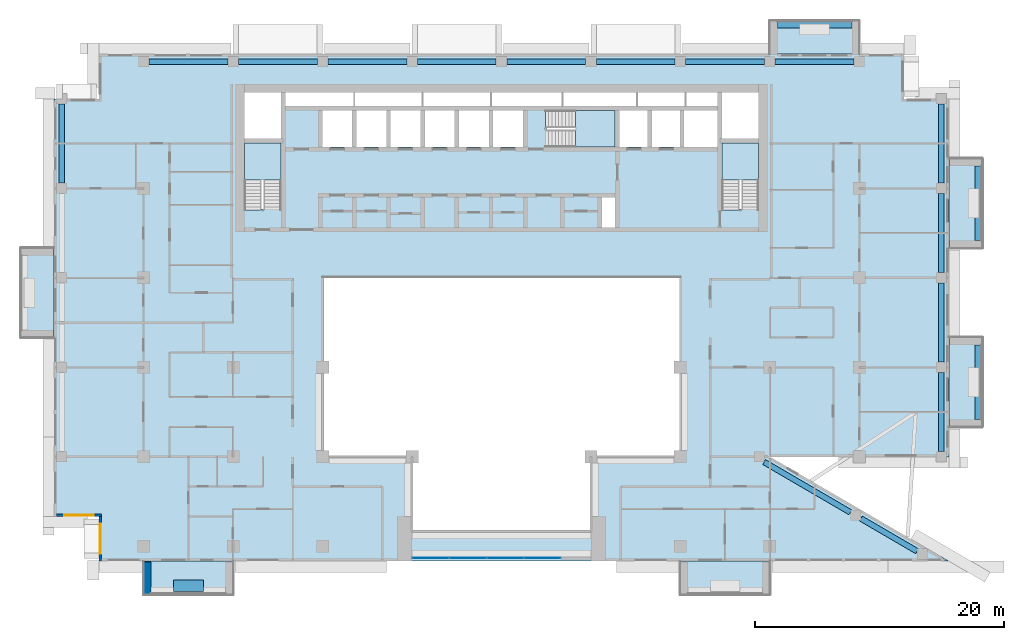
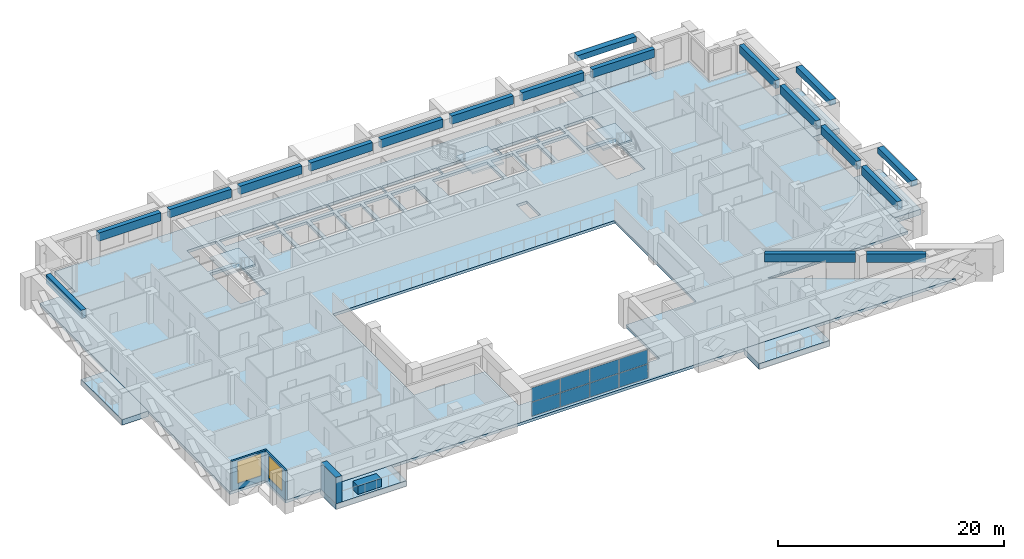
# One storey, part 5 of 19: 18 beams, 10 slabs, 8 plates, 4 walls, 2 windows, 2 openings, 4 elements without a shape of their own.
"""IFC4 building model written with IfcOpenShell, lengths in metres."""

from ifc_helpers import new_model, si_unit, direction, frame, frame_2d, origin, origin_2d, place, context, subcontext, project, spatial, polyline, rectangle, outline, extrude, source, transform, mapped, material, layer, layer_set, material_profile, profile_set, type_object, element, fill, aggregate, save


model = new_model("IFC4")

# Units and contexts
model_context = context("Model", 3, precision=1e-05, world=origin(), true_north=direction((0.0, 1.0)))
body_context = subcontext(model_context, "Body", "Model", "MODEL_VIEW")
ifc_project = project(units=[si_unit("LENGTHUNIT", "METRE"), si_unit("AREAUNIT", "SQUARE_METRE"), si_unit("VOLUMEUNIT", "CUBIC_METRE"), si_unit("PLANEANGLEUNIT", "RADIAN"), si_unit("MASSUNIT", "GRAM", prefix="KILO")], contexts=[model_context])

# Site, building, storey
site_placement = place(None, origin())
site = spatial("IfcSite", under=ifc_project, at=site_placement, CompositionType="ELEMENT")
building_placement = place(site_placement, origin())
building = spatial("IfcBuilding", under=site, at=building_placement, Name="Saffron Iwan Residences", CompositionType="ELEMENT")
storey_placement = place(building_placement, frame((0.0, 0.0, 160.5)))
storey = spatial("IfcBuildingStorey", under=building, at=storey_placement, Name="L42", CompositionType="ELEMENT", Elevation=160.5)

# Beams
ifc_material_1 = material(Name="Concrete C50/60", Category="concrete")
ifc_material_profile_1 = material_profile(ifc_material_1, rectangle(XDim=0.449951171875, YDim=0.89990234375, at=origin_2d()), Name="RC 450x900")
ifc_profile_set_1 = profile_set([ifc_material_profile_1], Name="Concrete C50/60")
beam_type_1 = type_object("IfcBeamType", Name="SPANDREL BEAM RC 450x900 C50/60 TOP 3200", PredefinedType="SPANDREL", material=ifc_profile_set_1)
shared_shape_1 = source(origin(), body_context, "Body", "SweptSolid", [
    extrude(rectangle(XDim=0.449951171875, YDim=0.89990234375, at=origin_2d()), origin(), (0.0, 0.0, 1.0), 5.24267578125),
])
beam_1_placement = place(storey_placement, frame((79.32275390625, 43.03369140625, 2.75), z_axis=(0.863783967805, -0.503862339299, 0.0), x_axis=(0.503862339299, 0.863783967805, 0.0)))
element("IfcBeam", 1, at=beam_1_placement, inside=storey, type_object=beam_type_1, Name="Spandrel beam", PredefinedType="SPANDREL", context=body_context, shape_type="MappedRepresentation", body=[
    mapped(shared_shape_1, transform((0.0, 0.0, 0.0))),
])
shared_shape_2 = source(origin(), body_context, "Body", "SweptSolid", [
    extrude(rectangle(XDim=0.449951171875, YDim=0.89990234375, at=origin_2d()), origin(), (0.0, 0.0, 1.0), 8.028564453125),
])
beam_2_placement = place(storey_placement, frame((71.537841796875, 47.574951171875, 2.75), z_axis=(0.863773386225, -0.503880479132, 0.0), x_axis=(0.503880479132, 0.863773386225, 0.0)))
element("IfcBeam", 2, at=beam_2_placement, inside=storey, type_object=beam_type_1, Name="Spandrel beam", PredefinedType="SPANDREL", context=body_context, shape_type="MappedRepresentation", body=[
    mapped(shared_shape_2, transform((0.0, 0.0, 0.0))),
])
shared_shape_3 = source(origin(), body_context, "Body", "SweptSolid", [
    extrude(rectangle(XDim=0.449951171875, YDim=0.89990234375, at=origin_2d()), origin(), (0.0, 0.0, 1.0), 6.349853515625),
])
for number, where, z_axis, x_axis, name in (
    (3, (85.800048828125, 54.77490234375, 2.75), (0.0, -1.0, 0.0), (1.0, 0.0, 0.0), "Spandrel beam"),
    (4, (29.22509765625, 79.800048828125, 2.75), (1.0, 0.0, 0.0), (0.0, 1.0, 0.0), "Spandrel beam"),
    (5, (36.425048828125, 79.800048828125, 2.75), (1.0, 0.0, 0.0), (0.0, 1.0, 0.0), "Spandrel beam"),
    (6, (65.22509765625, 79.800048828125, 2.75), (1.0, 0.0, 0.0), (0.0, 1.0, 0.0), "Spandrel beam"),
    (7, (72.425048828125, 79.800048828125, 2.75), (1.0, 0.0, 0.0), (0.0, 1.0, 0.0), "Spandrel beam"),
):
    element("IfcBeam", number, at=place(storey_placement, frame(where, z_axis=z_axis, x_axis=x_axis)), inside=storey, type_object=beam_type_1, Name=name, PredefinedType="SPANDREL", context=body_context, shape_type="MappedRepresentation", body=[
        mapped(shared_shape_3, transform((0.0, 0.0, 0.0))),
    ])
shared_shape_4 = source(origin(), body_context, "Body", "SweptSolid", [
    extrude(rectangle(XDim=0.449951171875, YDim=0.89990234375, at=origin_2d()), origin(), (0.0, 0.0, 1.0), 6.35009765625),
])
for number, where, z_axis, x_axis, name in (
    (8, (85.800048828125, 61.97509765625, 2.75), (0.0, -1.0, 0.0), (1.0, 0.0, 0.0), "Spandrel beam"),
    (9, (85.800048828125, 69.175048828125, 2.75), (0.0, -1.0, 0.0), (1.0, 0.0, 0.0), "Spandrel beam"),
    (10, (15.0, 70.02490234375, 2.75), (0.0, 1.0, 0.0), (-1.0, 0.0, 0.0), "Spandrel beam"),
    (11, (85.800048828125, 76.375, 2.75), (0.0, -1.0, 0.0), (1.0, 0.0, 0.0), "Spandrel beam"),
    (12, (22.02490234375, 79.800048828125, 2.75), (1.0, 0.0, 0.0), (0.0, 1.0, 0.0), "Spandrel beam"),
    (13, (43.625, 79.800048828125, 2.75), (1.0, 0.0, 0.0), (0.0, 1.0, 0.0), "Spandrel beam"),
    (14, (50.824951171875, 79.800048828125, 2.75), (1.0, 0.0, 0.0), (0.0, 1.0, 0.0), "Spandrel beam"),
    (15, (58.02490234375, 79.800048828125, 2.75), (1.0, 0.0, 0.0), (0.0, 1.0, 0.0), "Spandrel beam"),
):
    element("IfcBeam", number, at=place(storey_placement, frame(where, z_axis=z_axis, x_axis=x_axis)), inside=storey, type_object=beam_type_1, Name=name, PredefinedType="SPANDREL", context=body_context, shape_type="MappedRepresentation", body=[
        mapped(shared_shape_4, transform((0.0, 0.0, 0.0))),
    ])
ifc_material_2 = material(Name="Concrete C50/60 white painted", Category="concrete")
ifc_material_profile_2 = material_profile(ifc_material_2, rectangle(XDim=0.60009765625, YDim=0.60009765625, at=origin_2d()), Name="BALCONY FASCIA BEAM 600 x 600")
ifc_profile_set_2 = profile_set([ifc_material_profile_2], Name="Concrete C50/60 white painted")
beam_type_2 = type_object("IfcBeamType", Name="BALCONY FASCIA BEAM 600 x 600", PredefinedType="BEAM", material=ifc_profile_set_2)
shared_shape_5 = source(origin(), body_context, "Body", "SweptSolid", [
    extrude(rectangle(XDim=0.60009765625, YDim=0.60009765625, at=origin_2d()), origin(), (0.0, 0.0, 1.0), 6.0),
])
for number, where, z_axis, x_axis, name in (
    (16, (88.800048828125, 51.0, 2.550048828125), (0.0, 1.0, 0.0), (-1.0, 0.0, 0.0), "Balcony fascia beam L42 F2-0"),
    (17, (88.800048828125, 65.39990234375, 2.550048828125), (0.0, 1.0, 0.0), (-1.0, 0.0, 0.0), "Balcony fascia beam L42 F2-1"),
    (18, (78.60009765625, 82.800048828125, 2.550048828125), (-1.0, 0.0, 0.0), (0.0, -1.0, 0.0), "Balcony fascia beam L42 F5-0"),
):
    element("IfcBeam", number, at=place(storey_placement, frame(where, z_axis=z_axis, x_axis=x_axis)), inside=storey, type_object=beam_type_2, Name=name, PredefinedType="BEAM", context=body_context, shape_type="MappedRepresentation", body=[
        mapped(shared_shape_5, transform((0.0, 0.0, 0.0))),
    ])

# Slabs
ifc_layer_1 = layer(ifc_material_2, 0.60009765625)
ifc_layer_set_1 = layer_set([ifc_layer_1], Name="Concrete C50/60 white painted")
slab_type_1 = type_object("IfcSlabType", Name="BALCONY FRAME SLAB 600", PredefinedType="FLOOR", material=ifc_layer_set_1)
slab_1_placement = place(storey_placement, frame((0.0, 0.0, -0.60009765625)))
element("IfcSlab", 19, at=slab_1_placement, inside=storey, type_object=slab_type_1, Name="Balcony frame slab L42 F2-0", PredefinedType="FLOOR", context=body_context, shape_type="SweptSolid", body=[
    extrude(outline(polyline([(89.10009765625, 50.39990234375), (89.10009765625, 57.60009765625), (86.39990234375, 57.60009765625), (86.39990234375, 50.39990234375), (89.10009765625, 50.39990234375)])), origin(), (0.0, 0.0, 1.0), 0.60009765625),
])
slab_2_placement = place(storey_placement, frame((0.0, 0.0, -0.60009765625)))
element("IfcSlab", 20, at=slab_2_placement, inside=storey, type_object=slab_type_1, Name="Balcony frame slab L42 F2-1", PredefinedType="FLOOR", context=body_context, shape_type="SweptSolid", body=[
    extrude(outline(polyline([(89.10009765625, 64.800048828125), (89.10009765625, 72.0), (86.39990234375, 72.0), (86.39990234375, 64.800048828125), (89.10009765625, 64.800048828125)])), origin(), (0.0, 0.0, 1.0), 0.60009765625),
])
slab_3_placement = place(storey_placement, frame((0.0, 0.0, -0.60009765625)))
element("IfcSlab", 21, at=slab_3_placement, inside=storey, type_object=slab_type_1, Name="Balcony frame slab L42 F5-0", PredefinedType="FLOOR", context=body_context, shape_type="SweptSolid", body=[
    extrude(outline(polyline([(79.199951171875, 83.10009765625), (72.0, 83.10009765625), (72.0, 80.39990234375), (79.199951171875, 80.39990234375), (79.199951171875, 83.10009765625)])), origin(), (0.0, 0.0, 1.0), 0.60009765625),
])
slab_4_placement = place(storey_placement, frame((0.0, 0.0, -0.60009765625)))
element("IfcSlab", 22, at=slab_4_placement, inside=storey, type_object=slab_type_1, Name="Balcony frame slab L42 F8-0", PredefinedType="FLOOR", context=body_context, shape_type="SweptSolid", body=[
    extrude(outline(polyline([(11.699951171875, 64.800048828125), (11.699951171875, 57.60009765625), (14.39990234375, 57.60009765625), (14.39990234375, 64.800048828125), (11.699951171875, 64.800048828125)])), origin(), (0.0, 0.0, 1.0), 0.60009765625),
])
slab_5_placement = place(storey_placement, frame((0.0, 0.0, -0.60009765625)))
element("IfcSlab", 23, at=slab_5_placement, inside=storey, type_object=slab_type_1, Name="Balcony frame slab L42 11-0", PredefinedType="FLOOR", context=body_context, shape_type="SweptSolid", body=[
    extrude(outline(polyline([(21.60009765625, 36.89990234375), (28.800048828125, 36.89990234375), (28.800048828125, 39.60009765625), (21.60009765625, 39.60009765625), (21.60009765625, 36.89990234375)])), origin(), (0.0, 0.0, 1.0), 0.60009765625),
])
slab_6_placement = place(storey_placement, frame((0.0, 0.0, -0.60009765625)))
element("IfcSlab", 24, at=slab_6_placement, inside=storey, type_object=slab_type_1, Name="Balcony frame slab L42 11-1", PredefinedType="FLOOR", context=body_context, shape_type="SweptSolid", body=[
    extrude(outline(polyline([(64.800048828125, 36.89990234375), (72.0, 36.89990234375), (72.0, 39.60009765625), (64.800048828125, 39.60009765625), (64.800048828125, 36.89990234375)])), origin(), (0.0, 0.0, 1.0), 0.60009765625),
])
ifc_material_3 = material(Name="Concrete C40/50", Category="concrete")
ifc_layer_2 = layer(ifc_material_3, 0.300048828125)
ifc_layer_set_2 = layer_set([ifc_layer_2], Name="Concrete C40/50")
slab_type_2 = type_object("IfcSlabType", Name="PT PLATE 300 C40/50", PredefinedType="FLOOR", material=ifc_layer_set_2)
slab_7_placement = place(storey_placement, frame((0.0, 0.0, -0.300048828125)))
element("IfcSlab", 25, at=slab_7_placement, inside=storey, type_object=slab_type_2, Name="Floor slab L42", PredefinedType="FLOOR", context=body_context, shape_type="SweptSolid", body=[
    extrude(outline(polyline([(14.39990234375, 43.199951171875), (14.39990234375, 76.800048828125), (18.0, 76.800048828125), (18.0, 80.39990234375), (82.800048828125, 80.39990234375), (82.800048828125, 76.800048828125), (86.39990234375, 76.800048828125), (86.39990234375, 48.0), (72.0, 48.0), (86.39990234375, 39.60009765625), (18.0, 39.60009765625), (18.0, 43.199951171875), (14.39990234375, 43.199951171875)]), holes=[polyline([(64.800048828125, 48.0), (64.800048828125, 62.39990234375), (36.0, 62.39990234375), (36.0, 48.0), (43.199951171875, 48.0), (43.199951171875, 42.0), (57.60009765625, 42.0), (57.60009765625, 48.0), (64.800048828125, 48.0)]), polyline([(29.699951171875, 73.25), (29.699951171875, 67.949951171875), (29.699951171875, 67.8505859375), (31.10009765625, 67.8505859375), (31.10009765625, 67.949951171875), (32.64990234375, 67.949951171875), (32.64990234375, 73.25), (29.699951171875, 73.25)]), polyline([(38.375, 75.875), (35.97509765625, 75.875), (35.97509765625, 72.925048828125), (38.375, 72.925048828125), (38.375, 75.875)]), polyline([(41.125, 75.875), (38.72509765625, 75.875), (38.72509765625, 72.925048828125), (41.125, 72.925048828125), (41.125, 75.875)]), polyline([(43.875, 72.925048828125), (43.875, 75.875), (41.47509765625, 75.875), (41.47509765625, 72.925048828125), (43.875, 72.925048828125)]), polyline([(46.625, 72.925048828125), (46.625, 75.875), (44.22509765625, 75.875), (44.22509765625, 72.925048828125), (46.625, 72.925048828125)]), polyline([(49.375, 75.875), (46.97509765625, 75.875), (46.97509765625, 72.925048828125), (49.375, 72.925048828125), (49.375, 75.875)]), polyline([(52.125, 72.925048828125), (52.125, 75.875), (49.72509765625, 75.875), (49.72509765625, 72.925048828125), (52.125, 72.925048828125)]), polyline([(32.64990234375, 73.60009765625), (32.64990234375, 77.300048828125), (29.699951171875, 77.300048828125), (29.699951171875, 73.60009765625), (32.64990234375, 73.60009765625)]), polyline([(38.5, 77.300048828125), (33.0, 77.300048828125), (33.0, 76.22509765625), (38.5, 76.22509765625), (38.5, 77.300048828125)]), polyline([(44.0, 76.22509765625), (44.0, 77.300048828125), (38.60009765625, 77.300048828125), (38.60009765625, 76.22509765625), (44.0, 76.22509765625)]), polyline([(49.5, 76.22509765625), (49.5, 77.300048828125), (44.10009765625, 77.300048828125), (44.10009765625, 76.22509765625), (49.5, 76.22509765625)]), polyline([(59.550048828125, 68.875), (58.47509765625, 68.875), (58.47509765625, 66.449951171875), (59.550048828125, 66.449951171875), (59.550048828125, 68.875)]), polyline([(68.14990234375, 73.25), (68.14990234375, 67.949951171875), (68.14990234375, 67.8505859375), (69.550048828125, 67.8505859375), (69.550048828125, 67.949951171875), (71.10009765625, 67.949951171875), (71.10009765625, 73.25), (68.14990234375, 73.25)]), polyline([(54.02490234375, 74.47509765625), (54.02490234375, 72.925048828125), (59.550048828125, 72.925048828125), (59.550048828125, 75.875), (54.02490234375, 75.875), (53.925537109375, 75.875), (53.925537109375, 74.47509765625), (54.02490234375, 74.47509765625)]), polyline([(62.14990234375, 72.925048828125), (62.14990234375, 75.875), (59.89990234375, 75.875), (59.89990234375, 72.925048828125), (62.14990234375, 72.925048828125)]), polyline([(64.75, 72.925048828125), (64.75, 75.875), (62.5, 75.875), (62.5, 72.925048828125), (64.75, 72.925048828125)]), polyline([(67.800048828125, 75.875), (65.10009765625, 75.875), (65.10009765625, 72.925048828125), (67.800048828125, 72.925048828125), (67.800048828125, 75.875)]), polyline([(71.10009765625, 73.60009765625), (71.10009765625, 77.300048828125), (68.14990234375, 77.300048828125), (68.14990234375, 73.60009765625), (71.10009765625, 73.60009765625)]), polyline([(55.25, 76.22509765625), (55.25, 77.300048828125), (49.60009765625, 77.300048828125), (49.60009765625, 76.22509765625), (55.25, 76.22509765625)]), polyline([(61.25, 77.300048828125), (55.35009765625, 77.300048828125), (55.35009765625, 76.22509765625), (61.25, 76.22509765625), (61.25, 77.300048828125)]), polyline([(65.14990234375, 76.22509765625), (65.14990234375, 77.300048828125), (61.35009765625, 77.300048828125), (61.35009765625, 76.22509765625), (65.14990234375, 76.22509765625)]), polyline([(67.800048828125, 76.22509765625), (67.800048828125, 77.300048828125), (65.25, 77.300048828125), (65.25, 76.22509765625), (67.800048828125, 76.22509765625)])]), origin(), (0.0, 0.0, 1.0), 0.300048828125),
])

# Stair, slab
stair_type = type_object("IfcStairType", Name="Stair ST-CORE", PredefinedType="HALF_TURN_STAIR", material=ifc_material_1)
stair_1_placement = place(storey_placement, origin())
stair_1 = element("IfcStair", 26, at=stair_1_placement, inside=storey, type_object=stair_type, Name="L42 Exit Stair ST-W", PredefinedType="HALF_TURN_STAIR")
ifc_layer_3 = layer(ifc_material_1, 0.199951171875)
ifc_layer_set_3 = layer_set([ifc_layer_3], Name="Concrete C50/60")
slab_type_3 = type_object("IfcSlabType", Name="Stair landing SL-RC", PredefinedType="LANDING", material=ifc_layer_set_3)
slab_8_placement = place(storey_placement, frame((0.0, 0.0, 1.5498046875)))
slab_8 = element("IfcSlab", 27, at=slab_8_placement, type_object=slab_type_3, Name="ST-W landing 1", PredefinedType="LANDING", context=body_context, shape_type="SweptSolid", body=[
    extrude(outline(polyline([(32.64990234375, 70.280029296875), (32.64990234375, 73.25), (29.699951171875, 73.25), (29.699951171875, 70.280029296875), (32.64990234375, 70.280029296875)])), origin(), (0.0, 0.0, 1.0), 0.2001953125),
])
aggregate(stair_1, [slab_8])

stair_2_placement = place(storey_placement, origin())
stair_2 = element("IfcStair", 28, at=stair_2_placement, inside=storey, type_object=stair_type, Name="L42 Exit Stair ST-C", PredefinedType="HALF_TURN_STAIR")
slab_9_placement = place(storey_placement, frame((0.0, 0.0, 1.5498046875)))
slab_9 = element("IfcSlab", 29, at=slab_9_placement, type_object=slab_type_3, Name="ST-C landing 1", PredefinedType="LANDING", context=body_context, shape_type="SweptSolid", body=[
    extrude(outline(polyline([(56.35498046875, 72.925048828125), (59.550048828125, 72.925048828125), (59.550048828125, 75.875), (56.35498046875, 75.875), (56.35498046875, 72.925048828125)])), origin(), (0.0, 0.0, 1.0), 0.2001953125),
])
aggregate(stair_2, [slab_9])

stair_3_placement = place(storey_placement, origin())
stair_3 = element("IfcStair", 30, at=stair_3_placement, inside=storey, type_object=stair_type, Name="L42 Exit Stair ST-E", PredefinedType="HALF_TURN_STAIR")
slab_10_placement = place(storey_placement, frame((0.0, 0.0, 1.5498046875)))
slab_10 = element("IfcSlab", 31, at=slab_10_placement, type_object=slab_type_3, Name="ST-E landing 1", PredefinedType="LANDING", context=body_context, shape_type="SweptSolid", body=[
    extrude(outline(polyline([(71.10009765625, 70.280029296875), (71.10009765625, 73.25), (68.14990234375, 73.25), (68.14990234375, 70.280029296875), (71.10009765625, 70.280029296875)])), origin(), (0.0, 0.0, 1.0), 0.2001953125),
])
aggregate(stair_3, [slab_10])

# Curtain wall, plates
ifc_material_4 = material(Name="Clear glass, laminated double glazed", Category="glass")
ifc_layer_4 = layer(ifc_material_4, 0.199951171875)
ifc_layer_set_4 = layer_set([ifc_layer_4], Name="Clear glass, laminated double glazed")
curtain_wall_type = type_object("IfcCurtainWallType", Name="CW-B IWAN PORTAL", PredefinedType="NOTDEFINED", material=ifc_layer_set_4)
curtain_wall_placement = place(storey_placement, origin())
curtain_wall = element("IfcCurtainWall", 32, at=curtain_wall_placement, inside=storey, type_object=curtain_wall_type, Name="Iwan portal glazing L42.1", PredefinedType="NOTDEFINED")
ifc_layer_5 = layer(ifc_material_4, 0.028076171875)
ifc_layer_set_5 = layer_set([ifc_layer_5], Name="Clear glass, laminated double glazed")
plate_type = type_object("IfcPlateType", Name="CW-B PANEL 28", PredefinedType="CURTAIN_PANEL", material=ifc_layer_set_5)
shared_shape_6 = source(origin(), body_context, "Body", "SweptSolid", [
    extrude(rectangle(XDim=2.909912109375, YDim=0.028076171875, at=origin_2d()), origin(), (0.0, 0.0, 1.0), 1.510009765625),
])
plate_1_placement = place(storey_placement, frame((44.715087890625, 39.85009765625, 0.06005859375), z_axis=(0.0, 0.0, 1.0), x_axis=(1.0, 0.0, 0.0)))
plate_1 = element("IfcPlate", 33, at=plate_1_placement, type_object=plate_type, Name="CW-B panel 1.1", PredefinedType="CURTAIN_PANEL", context=body_context, shape_type="MappedRepresentation", body=[
    mapped(shared_shape_6, transform((0.0, 0.0, 0.0))),
])
plate_2_placement = place(storey_placement, frame((44.715087890625, 39.85009765625, 1.6298828125), z_axis=(0.0, 0.0, 1.0), x_axis=(1.0, 0.0, 0.0)))
plate_2 = element("IfcPlate", 34, at=plate_2_placement, type_object=plate_type, Name="CW-B panel 1.2", PredefinedType="CURTAIN_PANEL", context=body_context, shape_type="MappedRepresentation", body=[
    mapped(shared_shape_6, transform((0.0, 0.0, 0.0))),
])
plate_3_placement = place(storey_placement, frame((53.68505859375, 39.85009765625, 0.06005859375), z_axis=(0.0, 0.0, 1.0), x_axis=(1.0, 0.0, 0.0)))
plate_3 = element("IfcPlate", 35, at=plate_3_placement, type_object=plate_type, Name="CW-B panel 4.1", PredefinedType="CURTAIN_PANEL", context=body_context, shape_type="MappedRepresentation", body=[
    mapped(shared_shape_6, transform((0.0, 0.0, 0.0))),
])
plate_4_placement = place(storey_placement, frame((53.68505859375, 39.85009765625, 1.6298828125), z_axis=(0.0, 0.0, 1.0), x_axis=(1.0, 0.0, 0.0)))
plate_4 = element("IfcPlate", 36, at=plate_4_placement, type_object=plate_type, Name="CW-B panel 4.2", PredefinedType="CURTAIN_PANEL", context=body_context, shape_type="MappedRepresentation", body=[
    mapped(shared_shape_6, transform((0.0, 0.0, 0.0))),
])
shared_shape_7 = source(origin(), body_context, "Body", "SweptSolid", [
    extrude(rectangle(XDim=2.93994140625, YDim=0.028076171875, at=origin_2d()), origin(), (0.0, 0.0, 1.0), 1.510009765625),
])
plate_5_placement = place(storey_placement, frame((47.699951171875, 39.85009765625, 0.06005859375), z_axis=(0.0, 0.0, 1.0), x_axis=(1.0, 0.0, 0.0)))
plate_5 = element("IfcPlate", 37, at=plate_5_placement, type_object=plate_type, Name="CW-B panel 2.1", PredefinedType="CURTAIN_PANEL", context=body_context, shape_type="MappedRepresentation", body=[
    mapped(shared_shape_7, transform((0.0, 0.0, 0.0))),
])
plate_6_placement = place(storey_placement, frame((47.699951171875, 39.85009765625, 1.6298828125), z_axis=(0.0, 0.0, 1.0), x_axis=(1.0, 0.0, 0.0)))
plate_6 = element("IfcPlate", 38, at=plate_6_placement, type_object=plate_type, Name="CW-B panel 2.2", PredefinedType="CURTAIN_PANEL", context=body_context, shape_type="MappedRepresentation", body=[
    mapped(shared_shape_7, transform((0.0, 0.0, 0.0))),
])
plate_7_placement = place(storey_placement, frame((50.699951171875, 39.85009765625, 0.06005859375), z_axis=(0.0, 0.0, 1.0), x_axis=(1.0, 0.0, 0.0)))
plate_7 = element("IfcPlate", 39, at=plate_7_placement, type_object=plate_type, Name="CW-B panel 3.1", PredefinedType="CURTAIN_PANEL", context=body_context, shape_type="MappedRepresentation", body=[
    mapped(shared_shape_7, transform((0.0, 0.0, 0.0))),
])
plate_8_placement = place(storey_placement, frame((50.699951171875, 39.85009765625, 1.6298828125), z_axis=(0.0, 0.0, 1.0), x_axis=(1.0, 0.0, 0.0)))
plate_8 = element("IfcPlate", 40, at=plate_8_placement, type_object=plate_type, Name="CW-B panel 3.2", PredefinedType="CURTAIN_PANEL", context=body_context, shape_type="MappedRepresentation", body=[
    mapped(shared_shape_7, transform((0.0, 0.0, 0.0))),
])
aggregate(curtain_wall, [plate_1, plate_2, plate_5, plate_6, plate_7, plate_8, plate_3, plate_4])

# Walls
ifc_layer_6 = layer(ifc_material_2, 0.60009765625)
ifc_layer_set_6 = layer_set([ifc_layer_6], Name="Concrete C50/60 white painted")
wall_type_1 = type_object("IfcWallType", Name="BALCONY FIN 600", PredefinedType="SOLIDWALL", material=ifc_layer_set_6)
wall_1_placement = place(storey_placement, frame((21.89990234375, 39.550048828125, 0.0), z_axis=(0.0, 0.0, 1.0), x_axis=(0.0, -1.0, 0.0)))
element("IfcWall", 41, at=wall_1_placement, inside=storey, type_object=wall_type_1, Name="Balcony fin L42 11-0a", PredefinedType="SOLIDWALL", context=body_context, shape_type="SweptSolid", body=[
    extrude(rectangle(XDim=2.650146484375, YDim=0.60009765625, at=frame_2d((1.3251953125, 0.0))), origin(), (0.0, 0.0, 1.0), 2.85009765625),
])
ifc_material_5 = material(Name="Concrete C35/45 white painted", Category="concrete")
ifc_layer_7 = layer(ifc_material_5, 0.14990234375)
ifc_layer_set_7 = layer_set([ifc_layer_7], Name="Concrete C35/45 white painted")
wall_type_2 = type_object("IfcWallType", Name="BALCONY PLANTER", PredefinedType="SOLIDWALL", material=ifc_layer_set_7)
wall_2_placement = place(storey_placement, frame((24.0, 37.625, 0.0), z_axis=(0.0, 0.0, 1.0), x_axis=(1.0, 0.0, 0.0)))
element("IfcWall", 42, at=wall_2_placement, inside=storey, type_object=wall_type_2, Name="PLANTER L42 11-0", PredefinedType="SOLIDWALL", context=body_context, shape_type="SweptSolid", body=[
    extrude(rectangle(XDim=2.39990234375, YDim=0.89990234375, at=frame_2d((1.199951171875, 0.0))), origin(), (0.0, 0.0, 1.0), 0.89990234375),
])

# Wall, opening, window
ifc_layer_8 = layer(ifc_material_3, 0.199951171875)
ifc_layer_set_8 = layer_set([ifc_layer_8], Name="Concrete C40/50")
wall_type_3 = type_object("IfcWallType", Name="EXTERNAL WALL 200", PredefinedType="SOLIDWALL", material=ifc_layer_set_8)
wall_3_placement = place(storey_placement, frame((14.60009765625, 43.300048828125, 0.0), z_axis=(0.0, 0.0, 1.0), x_axis=(1.0, 0.0, 0.0)))
wall_3 = element("IfcWall", 43, at=wall_3_placement, inside=storey, type_object=wall_type_3, Name="External wall L42 F9.0", PredefinedType="SOLIDWALL", context=body_context, shape_type="SweptSolid", body=[
    extrude(rectangle(XDim=3.599853515625, YDim=0.199951171875, at=frame_2d((1.7998046875, 0.0))), origin(), (0.0, 0.0, 1.0), 3.199951171875),
])
opening_1_placement = place(wall_3_placement, frame((0.60009765625, 0.0, 0.60009765625)))
opening_1 = element("IfcOpeningElement", 44, at=opening_1_placement, cuts=wall_3, Name="Opening W1", PredefinedType="OPENING", context=body_context, shape_type="SweptSolid", body=[
    extrude(rectangle(XDim=2.39990234375, YDim=2.39990234375, at=frame_2d((1.199951171875, 1.199951171875))), frame((0.0, 0.10986328125, 0.0), z_axis=(0.0, -1.0, 0.0), x_axis=(1.0, 0.0, 0.0)), (0.0, 0.0, 1.0), 0.219970703125),
])
window_type = type_object("IfcWindowType", Name="WINDOW 2400 x 2400", PartitioningType="DOUBLE_PANEL_VERTICAL", PredefinedType="WINDOW", material=ifc_material_4)
window_1_placement = place(opening_1_placement, origin())
window_1 = element("IfcWindow", 45, at=window_1_placement, inside=storey, type_object=window_type, Name="Window L42 F9.0", OverallHeight=2.39990234375, OverallWidth=2.39990234375, PartitioningType="DOUBLE_PANEL_VERTICAL", PredefinedType="WINDOW", context=body_context, shape_type="SweptSolid", body=[
    extrude(rectangle(XDim=2.39990234375, YDim=2.39990234375, at=frame_2d((1.199951171875, 1.199951171875))), frame((0.0, 0.030029296875, 0.0), z_axis=(0.0, -1.0, 0.0), x_axis=(1.0, 0.0, 0.0)), (0.0, 0.0, 1.0), 0.06005859375),
])
fill(opening_1, window_1)

wall_4_placement = place(storey_placement, frame((18.10009765625, 43.199951171875, 0.0), z_axis=(0.0, 0.0, 1.0), x_axis=(0.0, -1.0, 0.0)))
wall_4 = element("IfcWall", 46, at=wall_4_placement, inside=storey, type_object=wall_type_3, Name="External wall L42 F10.0", PredefinedType="SOLIDWALL", context=body_context, shape_type="SweptSolid", body=[
    extrude(rectangle(XDim=3.599853515625, YDim=0.199951171875, at=frame_2d((1.7998046875, 0.0))), origin(), (0.0, 0.0, 1.0), 3.199951171875),
])
opening_2_placement = place(wall_4_placement, frame((0.60009765625, 0.0, 0.60009765625)))
opening_2 = element("IfcOpeningElement", 47, at=opening_2_placement, cuts=wall_4, Name="Opening W1", PredefinedType="OPENING", context=body_context, shape_type="SweptSolid", body=[
    extrude(rectangle(XDim=2.39990234375, YDim=2.39990234375, at=frame_2d((1.199951171875, 1.199951171875))), frame((0.0, 0.10986328125, 0.0), z_axis=(0.0, -1.0, 0.0), x_axis=(1.0, 0.0, 0.0)), (0.0, 0.0, 1.0), 0.219970703125),
])
window_2_placement = place(opening_2_placement, origin())
window_2 = element("IfcWindow", 48, at=window_2_placement, inside=storey, type_object=window_type, Name="Window L42 F10.0", OverallHeight=2.39990234375, OverallWidth=2.39990234375, PartitioningType="DOUBLE_PANEL_VERTICAL", PredefinedType="WINDOW", context=body_context, shape_type="SweptSolid", body=[
    extrude(rectangle(XDim=2.39990234375, YDim=2.39990234375, at=frame_2d((1.199951171875, 1.199951171875))), frame((0.0, 0.030029296875, 0.0), z_axis=(0.0, -1.0, 0.0), x_axis=(1.0, 0.0, 0.0)), (0.0, 0.0, 1.0), 0.06005859375),
])
fill(opening_2, window_2)

save(model, "model.ifc")
